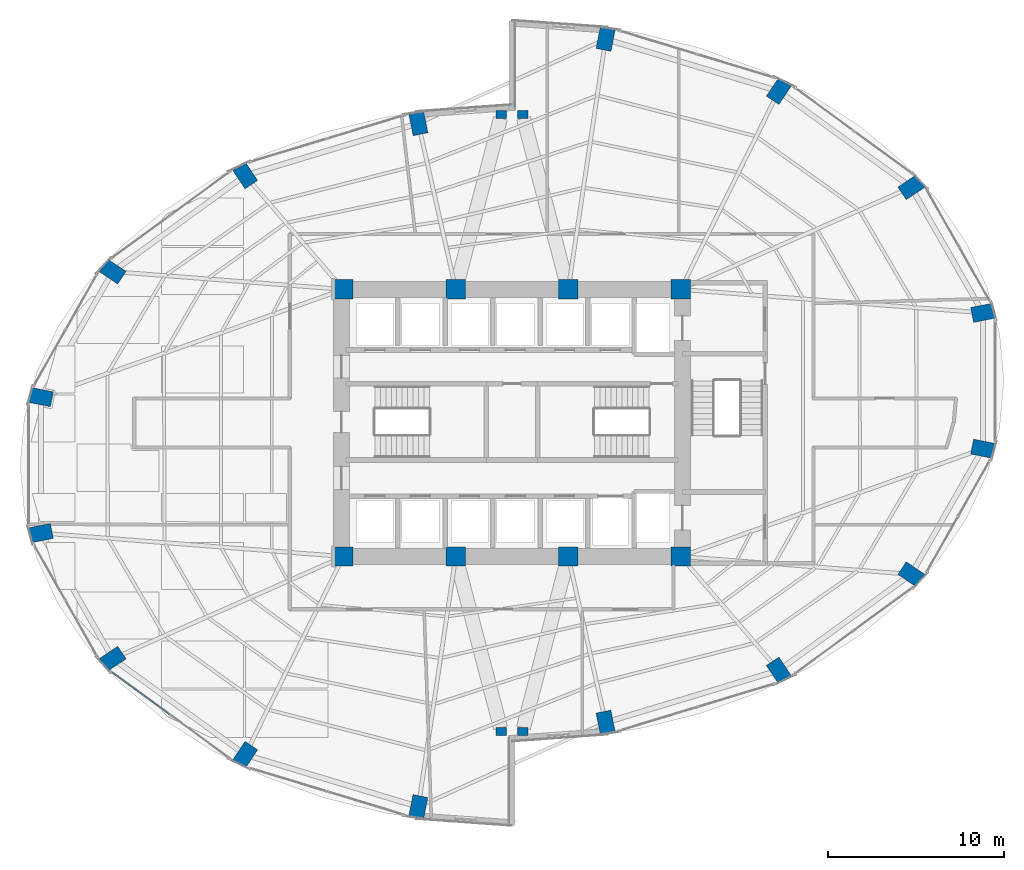
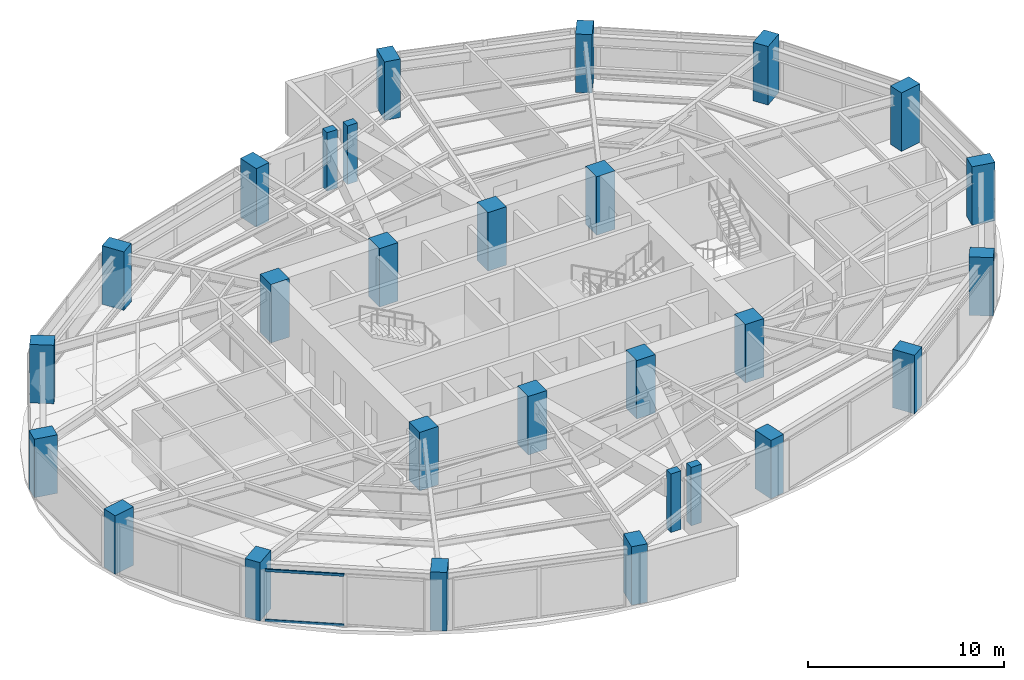
# One storey, part 1 of 24: 28 columns, 2 members, 1 element without a shape of its own.
"""IFC4 building model written with IfcOpenShell, lengths in metres."""

from ifc_helpers import new_model, si_unit, direction, frame, origin, origin_2d, place, context, subcontext, project, spatial, rectangle, hollow_rectangle, extrude, material, layer, layer_set, material_profile, profile_set, type_object, element, aggregate, save


model = new_model("IFC4")

# Units and contexts
model_context = context("Model", 3, precision=1e-05, world=origin(), true_north=direction((0.0, 1.0)))
body_context = subcontext(model_context, "Body", "Model", "MODEL_VIEW")
ifc_project = project(units=[si_unit("LENGTHUNIT", "METRE"), si_unit("AREAUNIT", "SQUARE_METRE"), si_unit("VOLUMEUNIT", "CUBIC_METRE"), si_unit("PLANEANGLEUNIT", "RADIAN"), si_unit("MASSUNIT", "GRAM", prefix="KILO")], contexts=[model_context])

# Site, building, storey
site_placement = place(None, origin())
site = spatial("IfcSite", under=ifc_project, at=site_placement, CompositionType="ELEMENT")
building_placement = place(site_placement, origin())
building = spatial("IfcBuilding", under=site, at=building_placement, Name="Lazwardi Medical Tower", CompositionType="ELEMENT")
storey_placement = place(building_placement, frame((0.0, 0.0, 72.6240234375)))
storey = spatial("IfcBuildingStorey", under=building, at=storey_placement, Name="L18", CompositionType="ELEMENT", Elevation=72.6240234375)

# Columns
ifc_material_1 = material(Name="Concrete C80/95", Category="concrete")
ifc_material_profile_1 = material_profile(ifc_material_1, rectangle(XDim=1.10009765625, YDim=1.10009765625, at=origin_2d()), Name="RC 1100x1100")
ifc_profile_set_1 = profile_set([ifc_material_profile_1], Name="Concrete C80/95")
column_type_1 = type_object("IfcColumnType", Name="COL-CC-L", PredefinedType="COLUMN", material=ifc_profile_set_1)
for number, where, z_axis, x_axis, name in (
    (1, (26.39990234375, 20.39990234375, 0.0), (0.0, 0.0, 1.0), (1.0, 0.0, 0.0), "Core column CC-01 CC1 L18"),
    (2, (32.800048828125, 20.39990234375, 0.0), (0.0, 0.0, 1.0), (1.0, 0.0, 0.0), "Core column CC-01 CC2 L18"),
    (3, (39.199951171875, 20.39990234375, 0.0), (0.0, 0.0, 1.0), (1.0, 0.0, 0.0), "Core column CC-01 CC3 L18"),
    (4, (45.60009765625, 20.39990234375, 0.0), (0.0, 0.0, 1.0), (1.0, 0.0, 0.0), "Core column CC-01 CC4 L18"),
    (5, (45.60009765625, 35.60009765625, 0.0), (0.0, 0.0, 1.0), (1.0, 0.0, 0.0), "Core column CC-01 CC5 L18"),
    (6, (39.199951171875, 35.60009765625, 0.0), (0.0, 0.0, 1.0), (1.0, 0.0, 0.0), "Core column CC-01 CC6 L18"),
    (7, (32.800048828125, 35.60009765625, 0.0), (0.0, 0.0, 1.0), (1.0, 0.0, 0.0), "Core column CC-01 CC7 L18"),
    (8, (26.39990234375, 35.60009765625, 0.0), (0.0, 0.0, 1.0), (1.0, 0.0, 0.0), "Core column CC-01 CC8 L18"),
):
    element("IfcColumn", number, at=place(storey_placement, frame(where, z_axis=z_axis, x_axis=x_axis)), inside=storey, type_object=column_type_1, Name=name, PredefinedType="COLUMN", context=body_context, shape_type="SweptSolid", body=[
        extrude(rectangle(XDim=1.10009765625, YDim=1.10009765625, at=origin_2d()), origin(), (0.0, 0.0, 1.0), 3.64794921875),
    ])
ifc_material_2 = material(Name="Concrete C70/85", Category="concrete")
ifc_material_profile_2 = material_profile(ifc_material_2, rectangle(XDim=1.25, YDim=0.860107421875, at=origin_2d()), Name="CFT-RECT 1250x860")
ifc_profile_set_2 = profile_set([ifc_material_profile_2], Name="Concrete C70/85")
column_type_2 = type_object("IfcColumnType", Name="COL-MC-Z1", PredefinedType="COLUMN", material=ifc_profile_set_2)
for number, where, z_axis, x_axis, name in (
    (9, (41.330810546875, 10.955810546875, 0.0), (0.0, 0.0, 1.0), (0.195090322016, -0.980785280403, 0.0), "Mega column MC-03 M01 L18"),
    (10, (51.180908203125, 13.916015625, 0.0), (0.0, 0.0, 1.0), (0.55557023302, -0.831469612303, 0.0), "Mega column MC-03 M02 L18"),
    (11, (58.719970703125, 19.3857421875, 0.0), (0.0, 0.0, 1.0), (0.831469612303, -0.55557023302, 0.0), "Mega column MC-03 M03 L18"),
    (12, (62.800048828125, 26.5322265625, 0.0), (0.0, 0.0, 1.0), (0.980785280403, -0.195090322016, 0.0), "Mega column MC-03 M04 L18"),
    (13, (62.800048828125, 34.267578125, 0.0), (0.0, 0.0, 1.0), (0.980785280403, 0.195090322016, 0.0), "Mega column MC-03 M05 L18"),
    (14, (58.719970703125, 41.414306640625, 0.0), (0.0, 0.0, 1.0), (0.831469612303, 0.55557023302, 0.0), "Mega column MC-03 M06 L18"),
    (15, (51.180908203125, 46.8837890625, 0.0), (0.0, 0.0, 1.0), (0.55557023302, 0.831469612303, 0.0), "Mega column MC-03 M07 L18"),
    (16, (41.330810546875, 49.843994140625, 0.0), (0.0, 0.0, 1.0), (0.195090322016, 0.980785280403, 0.0), "Mega column MC-03 M08 L18"),
    (17, (30.669189453125, 45.044189453125, 0.0), (0.0, 0.0, 1.0), (-0.195090322016, 0.980785280403, 0.0), "Mega column MC-03 M09 L18"),
    (18, (20.819091796875, 42.083984375, 0.0), (0.0, 0.0, 1.0), (-0.55557023302, 0.831469612303, 0.0), "Mega column MC-03 M10 L18"),
    (19, (13.280029296875, 36.6142578125, 0.0), (0.0, 0.0, 1.0), (-0.831469612303, 0.55557023302, 0.0), "Mega column MC-03 M11 L18"),
    (20, (9.199951171875, 29.4677734375, 0.0), (0.0, 0.0, 1.0), (-0.980785280403, 0.195090322016, 0.0), "Mega column MC-03 M12 L18"),
    (21, (9.199951171875, 21.732421875, 0.0), (0.0, 0.0, 1.0), (-0.980785280403, -0.195090322016, 0.0), "Mega column MC-03 M13 L18"),
    (22, (13.280029296875, 14.585693359375, 0.0), (0.0, 0.0, 1.0), (-0.831469612303, -0.55557023302, 0.0), "Mega column MC-03 M14 L18"),
    (23, (20.819091796875, 9.1162109375, 0.0), (0.0, 0.0, 1.0), (-0.55557023302, -0.831469612303, 0.0), "Mega column MC-03 M15 L18"),
    (24, (30.669189453125, 6.156005859375, 0.0), (0.0, 0.0, 1.0), (-0.195090322016, -0.980785280403, 0.0), "Mega column MC-03 M16 L18"),
):
    element("IfcColumn", number, at=place(storey_placement, frame(where, z_axis=z_axis, x_axis=x_axis)), inside=storey, type_object=column_type_2, Name=name, PredefinedType="COLUMN", context=body_context, shape_type="SweptSolid", body=[
        extrude(rectangle(XDim=1.25, YDim=0.860107421875, at=origin_2d()), origin(), (0.0, 0.0, 1.0), 3.64794921875),
    ])
ifc_material_3 = material(Name="Concrete C60/75", Category="concrete")
ifc_material_profile_3 = material_profile(ifc_material_3, rectangle(XDim=0.60009765625, YDim=0.449951171875, at=origin_2d()), Name="RC 600x450")
ifc_profile_set_3 = profile_set([ifc_material_profile_3], Name="Concrete C60/75")
column_type_3 = type_object("IfcColumnType", Name="COL-PL-IW", PredefinedType="PILASTER", material=ifc_profile_set_3)
for number, where, z_axis, x_axis, name in (
    (25, (35.39990234375, 45.550048828125, 0.0), (0.0, 0.0, 1.0), (1.0, 0.0, 0.0), "Iwan pilaster column PL-C1 PL1 L18"),
    (26, (36.60009765625, 45.550048828125, 0.0), (0.0, 0.0, 1.0), (1.0, 0.0, 0.0), "Iwan pilaster column PL-C1 PL2 L18"),
    (27, (35.39990234375, 10.449951171875, 0.0), (0.0, 0.0, 1.0), (1.0, 0.0, 0.0), "Iwan pilaster column PL-C1 PL3 L18"),
    (28, (36.60009765625, 10.449951171875, 0.0), (0.0, 0.0, 1.0), (1.0, 0.0, 0.0), "Iwan pilaster column PL-C1 PL4 L18"),
):
    element("IfcColumn", number, at=place(storey_placement, frame(where, z_axis=z_axis, x_axis=x_axis)), inside=storey, type_object=column_type_3, Name=name, PredefinedType="PILASTER", context=body_context, shape_type="SweptSolid", body=[
        extrude(rectangle(XDim=0.60009765625, YDim=0.449951171875, at=origin_2d()), origin(), (0.0, 0.0, 1.0), 3.64794921875),
    ])

# Curtain wall, members
ifc_material_4 = material(Name="Anodised bronze aluminium and solar control glazing", Category="aluminium")
ifc_layer = layer(ifc_material_4, 0.199951171875)
ifc_layer_set = layer_set([ifc_layer], Name="Anodised bronze aluminium and solar control glazing")
curtain_wall_type = type_object("IfcCurtainWallType", Name="CW-SYS-02", PredefinedType="NOTDEFINED", material=ifc_layer_set)
curtain_wall_placement = place(storey_placement, origin())
curtain_wall = element("IfcCurtainWall", 29, at=curtain_wall_placement, inside=storey, type_object=curtain_wall_type, Name="L18 Unitised bronze curtain wall CW-02", PredefinedType="NOTDEFINED")
ifc_material_5 = material(Name="Anodised bronze aluminium", Category="aluminium")
ifc_material_profile_4 = material_profile(ifc_material_5, hollow_rectangle(XDim=0.074951171875, YDim=0.159912109375, WallThickness=0.00390625, at=origin_2d()), Name="ALU-TRANSOM 160x75x4")
ifc_profile_set_4 = profile_set([ifc_material_profile_4], Name="Anodised bronze aluminium")
member_type = type_object("IfcMemberType", Name="CW-TRN-01", PredefinedType="USERDEFINED", material=ifc_profile_set_4)
member_1_placement = place(storey_placement, frame((13.239990234375, 13.805419921875, 0.03759765625), z_axis=(0.807189956199, -0.590291770748, 0.0), x_axis=(0.590291770748, 0.807189956199, 0.0)))
member_1 = element("IfcMember", 30, at=member_1_placement, type_object=member_type, Name="CW-02 transom 1.1", ObjectType="TRANSOM", PredefinedType="USERDEFINED", context=body_context, shape_type="SweptSolid", body=[
    extrude(hollow_rectangle(XDim=0.074951171875, YDim=0.159912109375, WallThickness=0.00390625, at=origin_2d()), origin(), (0.0, 0.0, 1.0), 4.070068359375),
])
member_2_placement = place(storey_placement, frame((13.239990234375, 13.805419921875, 3.160400390625), z_axis=(0.807189956199, -0.590291770748, 0.0), x_axis=(0.590291770748, 0.807189956199, 0.0)))
member_2 = element("IfcMember", 31, at=member_2_placement, type_object=member_type, Name="CW-02 transom 1.2", ObjectType="TRANSOM", PredefinedType="USERDEFINED", context=body_context, shape_type="SweptSolid", body=[
    extrude(hollow_rectangle(XDim=0.074951171875, YDim=0.159912109375, WallThickness=0.00390625, at=origin_2d()), origin(), (0.0, 0.0, 1.0), 4.070068359375),
])
aggregate(curtain_wall, [member_1, member_2])

save(model, "model.ifc")
